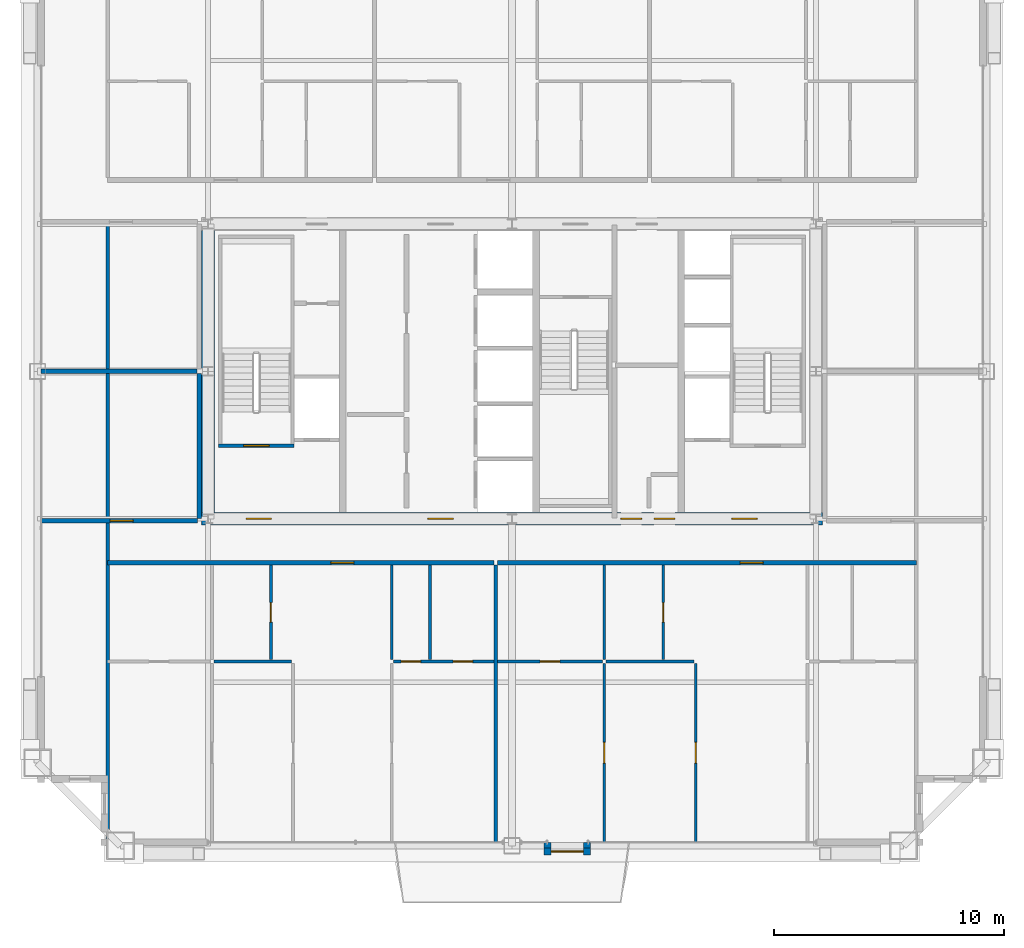
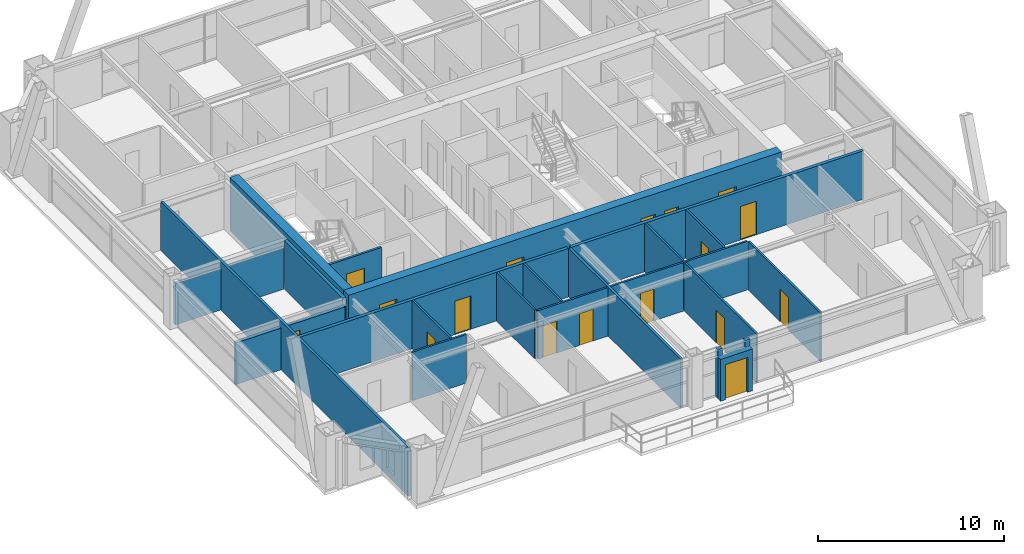
# One storey, part 31 of 36: 24 walls, 17 doors, 17 openings.
"""IFC4 building model written with IfcOpenShell, lengths in metres."""

from ifc_helpers import new_model, si_unit, direction, frame, frame_2d, origin, place, context, subcontext, project, spatial, rectangle, extrude, source, transform, mapped, material, layer, layer_set, type_object, element, fill, save


model = new_model("IFC4")

# Units and contexts
model_context = context("Model", 3, precision=1e-05, world=origin(), true_north=direction((0.0, 1.0)))
body_context = subcontext(model_context, "Body", "Model", "MODEL_VIEW")
ifc_project = project(units=[si_unit("LENGTHUNIT", "METRE"), si_unit("AREAUNIT", "SQUARE_METRE"), si_unit("VOLUMEUNIT", "CUBIC_METRE"), si_unit("PLANEANGLEUNIT", "RADIAN"), si_unit("MASSUNIT", "GRAM", prefix="KILO"), si_unit("THERMODYNAMICTEMPERATUREUNIT", "KELVIN"), si_unit("POWERUNIT", "WATT")], contexts=[model_context])

# Site, building, storey
site_placement = place(None, origin())
site = spatial("IfcSite", under=ifc_project, at=site_placement, CompositionType="ELEMENT")
building_placement = place(site_placement, origin())
building = spatial("IfcBuilding", under=site, at=building_placement, Name="Yuzanri Waterfront Tower", CompositionType="ELEMENT")
storey_placement = place(building_placement, frame((0.0, 0.0, 255.60009765625)))
storey = spatial("IfcBuildingStorey", under=building, at=storey_placement, Name="L68", CompositionType="ELEMENT", Elevation=255.60009765625)

# Wall, opening, door
ifc_material_1 = material(Name="Moisture-Resistant Gypsum Stud Wall", Category="gypsum")
ifc_layer_1 = layer(ifc_material_1, 0.1201171875)
ifc_layer_set_1 = layer_set([ifc_layer_1], Name="Moisture-Resistant Gypsum Stud Wall")
wall_type_1 = type_object("IfcWallType", Name="Bathroom and Kitchen Wet Partition 120", PredefinedType="PARTITIONING", material=ifc_layer_set_1)
wall_1_placement = place(storey_placement, frame((26.530029296875, 13.280029296875, 0.0), z_axis=(0.0, 0.0, 1.0), x_axis=(0.0, 1.0, 0.0)))
wall_1 = element("IfcWall", 1, at=wall_1_placement, inside=storey, type_object=wall_type_1, Name="L68 Partition UW-L68-RS1-SUB-2-E", PredefinedType="PARTITIONING", context=body_context, shape_type="SweptSolid", body=[
    extrude(rectangle(XDim=4.10986328125, YDim=0.1201171875, at=frame_2d((2.054931640625, 0.0))), origin(), (0.0, 0.0, 1.0), 3.199951171875),
])
opening_1_placement = place(wall_1_placement, frame((1.6298828125, 0.0, 0.0)))
opening_1 = element("IfcOpeningElement", 2, at=opening_1_placement, cuts=wall_1, Name="Opening ID-0850", PredefinedType="OPENING", context=body_context, shape_type="SweptSolid", body=[
    extrude(rectangle(XDim=0.85009765625, YDim=2.10009765625, at=frame_2d((0.425048828125, 1.050048828125))), frame((0.0, 0.074951171875, 0.0), z_axis=(0.0, -1.0, 0.0), x_axis=(1.0, 0.0, 0.0)), (0.0, 0.0, 1.0), 0.14990234375),
])
ifc_material_2 = material(Name="Moisture-Resistant Lacquered Timber", Category="wood")
door_type_1 = type_object("IfcDoorType", Name="En-Suite Bathroom and Kitchen Swing Door 850x2100", OperationType="NOTDEFINED", PredefinedType="DOOR", material=ifc_material_2)
shared_shape_1 = source(origin(), body_context, "Body", "SweptSolid", [
    extrude(rectangle(XDim=0.85009765625, YDim=2.10009765625, at=frame_2d((0.425048828125, 1.050048828125))), frame((0.0, 0.02490234375, 0.0), z_axis=(0.0, -1.0, 0.0), x_axis=(1.0, 0.0, 0.0)), (0.0, 0.0, 1.0), 0.050048828125),
])
door_1_placement = place(opening_1_placement, origin())
door_1 = element("IfcDoor", 3, at=door_1_placement, inside=storey, type_object=door_type_1, Name="L68 Suite Interior Room Door", OperationType="SINGLE_SWING_RIGHT", OverallHeight=2.10009765625, OverallWidth=0.85009765625, PredefinedType="DOOR", context=body_context, shape_type="MappedRepresentation", body=[
    mapped(shared_shape_1, transform((0.0, 0.0, 0.0), scale=1.0)),
])
fill(opening_1, door_1)

# Wall, openings, doors
wall_2_placement = place(storey_placement, frame((31.85595703125, 13.199951171875, 0.0), z_axis=(0.0, 0.0, 1.0), x_axis=(1.0, 0.0, 0.0)))
wall_2 = element("IfcWall", 4, at=wall_2_placement, inside=storey, type_object=wall_type_1, Name="L68 Partition UW-L68-RS1-SUB-6-N", PredefinedType="PARTITIONING", context=body_context, shape_type="SweptSolid", body=[
    extrude(rectangle(XDim=4.362060546875, YDim=0.1201171875, at=frame_2d((2.18115234375, 0.0))), origin(), (0.0, 0.0, 1.0), 3.199951171875),
])
opening_2_placement = place(wall_2_placement, frame((2.5869140625, 0.0, 0.0)))
opening_2 = element("IfcOpeningElement", 5, at=opening_2_placement, cuts=wall_2, Name="Opening ID-0850", PredefinedType="OPENING", context=body_context, shape_type="SweptSolid", body=[
    extrude(rectangle(XDim=0.85009765625, YDim=2.10009765625, at=frame_2d((0.425048828125, 1.050048828125))), frame((0.0, 0.074951171875, 0.0), z_axis=(0.0, -1.0, 0.0), x_axis=(1.0, 0.0, 0.0)), (0.0, 0.0, 1.0), 0.14990234375),
])
opening_3_placement = place(wall_2_placement, frame((0.325927734375, 0.0, 0.0)))
opening_3 = element("IfcOpeningElement", 6, at=opening_3_placement, cuts=wall_2, Name="Opening ID-0850", PredefinedType="OPENING", context=body_context, shape_type="SweptSolid", body=[
    extrude(rectangle(XDim=0.85009765625, YDim=2.10009765625, at=frame_2d((0.425048828125, 1.050048828125))), frame((0.0, 0.074951171875, 0.0), z_axis=(0.0, -1.0, 0.0), x_axis=(1.0, 0.0, 0.0)), (0.0, 0.0, 1.0), 0.14990234375),
])
door_2_placement = place(opening_2_placement, origin())
door_2 = element("IfcDoor", 7, at=door_2_placement, inside=storey, type_object=door_type_1, Name="L68 Suite Interior Room Door", OperationType="SINGLE_SWING_LEFT", OverallHeight=2.10009765625, OverallWidth=0.85009765625, PredefinedType="DOOR", context=body_context, shape_type="MappedRepresentation", body=[
    mapped(shared_shape_1, transform((0.0, 0.0, 0.0), scale=1.0)),
])
fill(opening_2, door_2)
door_3_placement = place(opening_3_placement, origin())
door_3 = element("IfcDoor", 8, at=door_3_placement, inside=storey, type_object=door_type_1, Name="L68 Suite Interior Room Door", OperationType="SINGLE_SWING_RIGHT", OverallHeight=2.10009765625, OverallWidth=0.85009765625, PredefinedType="DOOR", context=body_context, shape_type="MappedRepresentation", body=[
    mapped(shared_shape_1, transform((0.0, 0.0, 0.0), scale=1.0)),
])
fill(opening_3, door_3)

# Wall, opening, door
wall_3_placement = place(storey_placement, frame((36.3779296875, 13.199951171875, 0.0), z_axis=(0.0, 0.0, 1.0), x_axis=(1.0, 0.0, 0.0)))
wall_3 = element("IfcWall", 9, at=wall_3_placement, inside=storey, type_object=wall_type_1, Name="L68 Partition UW-L68-RS2-SUB-1-S", PredefinedType="PARTITIONING", context=body_context, shape_type="SweptSolid", body=[
    extrude(rectangle(XDim=4.545166015625, YDim=0.1201171875, at=frame_2d((2.2724609375, 0.0))), origin(), (0.0, 0.0, 1.0), 3.199951171875),
])
opening_4_placement = place(wall_3_placement, frame((1.847412109375, 0.0, 0.0)))
opening_4 = element("IfcOpeningElement", 10, at=opening_4_placement, cuts=wall_3, Name="Opening ID-0850", PredefinedType="OPENING", context=body_context, shape_type="SweptSolid", body=[
    extrude(rectangle(XDim=0.85009765625, YDim=2.10009765625, at=frame_2d((0.425048828125, 1.050048828125))), frame((0.0, 0.074951171875, 0.0), z_axis=(0.0, -1.0, 0.0), x_axis=(1.0, 0.0, 0.0)), (0.0, 0.0, 1.0), 0.14990234375),
])
door_4_placement = place(opening_4_placement, origin())
door_4 = element("IfcDoor", 11, at=door_4_placement, inside=storey, type_object=door_type_1, Name="L68 Suite Interior Room Door", OperationType="SINGLE_SWING_LEFT", OverallHeight=2.10009765625, OverallWidth=0.85009765625, PredefinedType="DOOR", context=body_context, shape_type="MappedRepresentation", body=[
    mapped(shared_shape_1, transform((0.0, 0.0, 0.0), scale=1.0)),
])
fill(opening_4, door_4)

wall_4_placement = place(storey_placement, frame((43.56298828125, 13.280029296875, 0.0), z_axis=(0.0, 0.0, 1.0), x_axis=(0.0, 1.0, 0.0)))
wall_4 = element("IfcWall", 12, at=wall_4_placement, inside=storey, type_object=wall_type_1, Name="L68 Partition UW-L68-RS2-SUB-2-E", PredefinedType="PARTITIONING", context=body_context, shape_type="SweptSolid", body=[
    extrude(rectangle(XDim=4.10986328125, YDim=0.1201171875, at=frame_2d((2.054931640625, 0.0))), origin(), (0.0, 0.0, 1.0), 3.199951171875),
])
opening_5_placement = place(wall_4_placement, frame((1.6298828125, 0.0, 0.0)))
opening_5 = element("IfcOpeningElement", 13, at=opening_5_placement, cuts=wall_4, Name="Opening ID-0850", PredefinedType="OPENING", context=body_context, shape_type="SweptSolid", body=[
    extrude(rectangle(XDim=0.85009765625, YDim=2.10009765625, at=frame_2d((0.425048828125, 1.050048828125))), frame((0.0, 0.074951171875, 0.0), z_axis=(0.0, -1.0, 0.0), x_axis=(1.0, 0.0, 0.0)), (0.0, 0.0, 1.0), 0.14990234375),
])
door_5_placement = place(opening_5_placement, origin())
door_5 = element("IfcDoor", 14, at=door_5_placement, inside=storey, type_object=door_type_1, Name="L68 Suite Interior Room Door", OperationType="SINGLE_SWING_RIGHT", OverallHeight=2.10009765625, OverallWidth=0.85009765625, PredefinedType="DOOR", context=body_context, shape_type="MappedRepresentation", body=[
    mapped(shared_shape_1, transform((0.0, 0.0, 0.0), scale=1.0)),
])
fill(opening_5, door_5)

wall_5_placement = place(storey_placement, frame((41.0029296875, 5.35009765625, 0.0), z_axis=(0.0, 0.0, 1.0), x_axis=(0.0, 1.0, 0.0)))
wall_5 = element("IfcWall", 15, at=wall_5_placement, inside=storey, type_object=wall_type_1, Name="L68 Partition UW-L68-RS2-SUB-5-E", PredefinedType="PARTITIONING", context=body_context, shape_type="SweptSolid", body=[
    extrude(rectangle(XDim=7.77001953125, YDim=0.1201171875, at=frame_2d((3.885009765625, 0.0))), origin(), (0.0, 0.0, 1.0), 3.199951171875),
])
opening_6_placement = place(wall_5_placement, frame((3.43505859375, 0.0, 0.0)))
opening_6 = element("IfcOpeningElement", 16, at=opening_6_placement, cuts=wall_5, Name="Opening ID-0900", PredefinedType="OPENING", context=body_context, shape_type="SweptSolid", body=[
    extrude(rectangle(XDim=0.89990234375, YDim=2.14990234375, at=frame_2d((0.449951171875, 1.074951171875))), frame((0.0, 0.074951171875, 0.0), z_axis=(0.0, -1.0, 0.0), x_axis=(1.0, 0.0, 0.0)), (0.0, 0.0, 1.0), 0.14990234375),
])
ifc_material_3 = material(Name="Stained Walnut Veneer Timber", Category="wood")
door_type_2 = type_object("IfcDoorType", Name="Bedroom and Study Interior Swing Door 900x2150", OperationType="NOTDEFINED", PredefinedType="DOOR", material=ifc_material_3)
shared_shape_2 = source(origin(), body_context, "Body", "SweptSolid", [
    extrude(rectangle(XDim=0.89990234375, YDim=2.14990234375, at=frame_2d((0.449951171875, 1.074951171875))), frame((0.0, 0.02490234375, 0.0), z_axis=(0.0, -1.0, 0.0), x_axis=(1.0, 0.0, 0.0)), (0.0, 0.0, 1.0), 0.050048828125),
])
door_6_placement = place(opening_6_placement, origin())
door_6 = element("IfcDoor", 17, at=door_6_placement, inside=storey, type_object=door_type_2, Name="L68 Suite Interior Room Door", OperationType="SINGLE_SWING_LEFT", OverallHeight=2.14990234375, OverallWidth=0.89990234375, PredefinedType="DOOR", context=body_context, shape_type="MappedRepresentation", body=[
    mapped(shared_shape_2, transform((0.0, 0.0, 0.0), scale=1.0)),
])
fill(opening_6, door_6)

wall_6_placement = place(storey_placement, frame((44.97802734375, 5.35009765625, 0.0), z_axis=(0.0, 0.0, 1.0), x_axis=(0.0, 1.0, 0.0)))
wall_6 = element("IfcWall", 18, at=wall_6_placement, inside=storey, type_object=wall_type_1, Name="L68 Partition UW-L68-RS2-SUB-7-E", PredefinedType="PARTITIONING", context=body_context, shape_type="SweptSolid", body=[
    extrude(rectangle(XDim=7.77001953125, YDim=0.1201171875, at=frame_2d((3.885009765625, 0.0))), origin(), (0.0, 0.0, 1.0), 3.199951171875),
])
opening_7_placement = place(wall_6_placement, frame((3.43505859375, 0.0, 0.0)))
opening_7 = element("IfcOpeningElement", 19, at=opening_7_placement, cuts=wall_6, Name="Opening ID-0900", PredefinedType="OPENING", context=body_context, shape_type="SweptSolid", body=[
    extrude(rectangle(XDim=0.89990234375, YDim=2.14990234375, at=frame_2d((0.449951171875, 1.074951171875))), frame((0.0, 0.074951171875, 0.0), z_axis=(0.0, -1.0, 0.0), x_axis=(1.0, 0.0, 0.0)), (0.0, 0.0, 1.0), 0.14990234375),
])
door_7_placement = place(opening_7_placement, origin())
door_7 = element("IfcDoor", 20, at=door_7_placement, inside=storey, type_object=door_type_2, Name="L68 Suite Interior Room Door", OperationType="SINGLE_SWING_LEFT", OverallHeight=2.14990234375, OverallWidth=0.89990234375, PredefinedType="DOOR", context=body_context, shape_type="MappedRepresentation", body=[
    mapped(shared_shape_2, transform((0.0, 0.0, 0.0), scale=1.0)),
])
fill(opening_7, door_7)

ifc_material_4 = material(Name="Honed Chongqing Dark Basalt Stone", Category="masonry")
ifc_layer_2 = layer(ifc_material_4, 0.300048828125)
ifc_layer_set_2 = layer_set([ifc_layer_2], Name="Honed Chongqing Dark Basalt Stone")
wall_type_2 = type_object("IfcWallType", Name="Bronze Rainscreen Insulated Spandrel Portal Wall 300", PredefinedType="SOLIDWALL", material=ifc_layer_set_2)
wall_7_placement = place(storey_placement, frame((38.39990234375, 4.949951171875, 0.0), z_axis=(0.0, 0.0, 1.0), x_axis=(1.0, 0.0, 0.0)))
wall_7 = element("IfcWall", 21, at=wall_7_placement, inside=storey, type_object=wall_type_2, Name="L68 S Terrace Door Portal Wall", PredefinedType="SOLIDWALL", context=body_context, shape_type="SweptSolid", body=[
    extrude(rectangle(XDim=2.0, YDim=0.300048828125, at=frame_2d((1.0, 0.0))), origin(), (0.0, 0.0, 1.0), 2.7548828125),
])
opening_8_placement = place(wall_7_placement, frame((0.300048828125, 0.0, 0.0)))
opening_8 = element("IfcOpeningElement", 22, at=opening_8_placement, cuts=wall_7, Name="Opening TD-1400", PredefinedType="OPENING", context=body_context, shape_type="SweptSolid", body=[
    extrude(rectangle(XDim=1.39990234375, YDim=2.300048828125, at=frame_2d((0.699951171875, 1.14990234375))), frame((0.0, 0.1650390625, 0.0), z_axis=(0.0, -1.0, 0.0), x_axis=(1.0, 0.0, 0.0)), (0.0, 0.0, 1.0), 0.329833984375),
])
ifc_material_5 = material(Name="Anodized Architectural Bronze", Category="metal")
door_type_3 = type_object("IfcDoorType", Name="Anodized Bronze Balcony and Terrace Glazed Double Door 1400x2300", OperationType="NOTDEFINED", PredefinedType="DOOR", material=ifc_material_5)
shared_shape_3 = source(origin(), body_context, "Body", "SweptSolid", [
    extrude(rectangle(XDim=1.39990234375, YDim=2.300048828125, at=frame_2d((0.699951171875, 1.14990234375))), frame((0.0, 0.02490234375, 0.0), z_axis=(0.0, -1.0, 0.0), x_axis=(1.0, 0.0, 0.0)), (0.0, 0.0, 1.0), 0.050048828125),
])
door_8_placement = place(opening_8_placement, origin())
door_8 = element("IfcDoor", 23, at=door_8_placement, inside=storey, type_object=door_type_3, Name="L68 S Terrace Glazed Double Door", OperationType="DOUBLE_DOOR_SINGLE_SWING", OverallHeight=2.300048828125, OverallWidth=1.39990234375, PredefinedType="DOOR", context=body_context, shape_type="MappedRepresentation", body=[
    mapped(shared_shape_3, transform((0.0, 0.0, 0.0), scale=1.0)),
])
fill(opening_8, door_8)

# Wall, openings, doors
ifc_material_6 = material(Name="Concrete C50", Category="concrete")
ifc_layer_3 = layer(ifc_material_6, 0.550048828125)
ifc_layer_set_3 = layer_set([ifc_layer_3], Name="Concrete C50")
wall_type_3 = type_object("IfcWallType", Name="Concrete C50 Upper-Mid Zone Core Shear Wall 550", PredefinedType="SHEAR", material=ifc_layer_set_3)
wall_8_placement = place(storey_placement, frame((23.52490234375, 19.39990234375, 0.0), z_axis=(0.0, 0.0, 1.0), x_axis=(1.0, 0.0, 0.0)))
wall_8 = element("IfcWall", 24, at=wall_8_placement, inside=storey, type_object=wall_type_3, Name="L68 Core South Shear Wall", PredefinedType="SHEAR", context=body_context, shape_type="SweptSolid", body=[
    extrude(rectangle(XDim=26.9501953125, YDim=0.550048828125, at=frame_2d((13.47509765625, 0.0))), origin(), (0.0, 0.0, 1.0), 3.5),
])
opening_9_placement = place(wall_8_placement, frame((1.925048828125, 0.0, 0.0)))
opening_9 = element("IfcOpeningElement", 25, at=opening_9_placement, cuts=wall_8, Name="Opening FD-1100", PredefinedType="OPENING", context=body_context, shape_type="SweptSolid", body=[
    extrude(rectangle(XDim=1.10009765625, YDim=2.199951171875, at=frame_2d((0.550048828125, 1.10009765625))), frame((0.0, 0.2900390625, 0.0), z_axis=(0.0, -1.0, 0.0), x_axis=(1.0, 0.0, 0.0)), (0.0, 0.0, 1.0), 0.579833984375),
])
opening_10_placement = place(wall_8_placement, frame((9.824951171875, 0.0, 0.0)))
opening_10 = element("IfcOpeningElement", 26, at=opening_10_placement, cuts=wall_8, Name="Opening FD-1100", PredefinedType="OPENING", context=body_context, shape_type="SweptSolid", body=[
    extrude(rectangle(XDim=1.10009765625, YDim=2.199951171875, at=frame_2d((0.550048828125, 1.10009765625))), frame((0.0, 0.2900390625, 0.0), z_axis=(0.0, -1.0, 0.0), x_axis=(1.0, 0.0, 0.0)), (0.0, 0.0, 1.0), 0.579833984375),
])
opening_11_placement = place(wall_8_placement, frame((23.02490234375, 0.0, 0.0)))
opening_11 = element("IfcOpeningElement", 27, at=opening_11_placement, cuts=wall_8, Name="Opening FD-1100", PredefinedType="OPENING", context=body_context, shape_type="SweptSolid", body=[
    extrude(rectangle(XDim=1.10009765625, YDim=2.199951171875, at=frame_2d((0.550048828125, 1.10009765625))), frame((0.0, 0.2900390625, 0.0), z_axis=(0.0, -1.0, 0.0), x_axis=(1.0, 0.0, 0.0)), (0.0, 0.0, 1.0), 0.579833984375),
])
opening_12_placement = place(wall_8_placement, frame((19.64501953125, 0.0, 0.0)))
opening_12 = element("IfcOpeningElement", 28, at=opening_12_placement, cuts=wall_8, Name="Opening FD-0900", PredefinedType="OPENING", context=body_context, shape_type="SweptSolid", body=[
    extrude(rectangle(XDim=0.89990234375, YDim=2.14990234375, at=frame_2d((0.449951171875, 1.074951171875))), frame((0.0, 0.2900390625, 0.0), z_axis=(0.0, -1.0, 0.0), x_axis=(1.0, 0.0, 0.0)), (0.0, 0.0, 1.0), 0.579833984375),
])
opening_13_placement = place(wall_8_placement, frame((18.205078125, 0.0, 0.0)))
opening_13 = element("IfcOpeningElement", 29, at=opening_13_placement, cuts=wall_8, Name="Opening FD-0900", PredefinedType="OPENING", context=body_context, shape_type="SweptSolid", body=[
    extrude(rectangle(XDim=0.89990234375, YDim=2.14990234375, at=frame_2d((0.449951171875, 1.074951171875))), frame((0.0, 0.2900390625, 0.0), z_axis=(0.0, -1.0, 0.0), x_axis=(1.0, 0.0, 0.0)), (0.0, 0.0, 1.0), 0.579833984375),
])
ifc_material_7 = material(Name="Painted Galvanized Fire Steel", Category="steel")
door_type_4 = type_object("IfcDoorType", Name="Smoke-Proof Stair and Lobby Fire Door 1100x2200", OperationType="NOTDEFINED", PredefinedType="DOOR", material=ifc_material_7)
shared_shape_4 = source(origin(), body_context, "Body", "SweptSolid", [
    extrude(rectangle(XDim=1.10009765625, YDim=2.199951171875, at=frame_2d((0.550048828125, 1.10009765625))), frame((0.0, 0.02490234375, 0.0), z_axis=(0.0, -1.0, 0.0), x_axis=(1.0, 0.0, 0.0)), (0.0, 0.0, 1.0), 0.050048828125),
])
door_9_placement = place(opening_9_placement, origin())
door_9 = element("IfcDoor", 30, at=door_9_placement, inside=storey, type_object=door_type_4, Name="L68 West Firefighting Lobby Door", OperationType="SINGLE_SWING_RIGHT", OverallHeight=2.199951171875, OverallWidth=1.10009765625, PredefinedType="DOOR", context=body_context, shape_type="MappedRepresentation", body=[
    mapped(shared_shape_4, transform((0.0, 0.0, 0.0), scale=1.0)),
])
fill(opening_9, door_9)
door_10_placement = place(opening_10_placement, origin())
door_10 = element("IfcDoor", 31, at=door_10_placement, inside=storey, type_object=door_type_4, Name="L68 Central Lift Lobby South Door", OperationType="SINGLE_SWING_LEFT", OverallHeight=2.199951171875, OverallWidth=1.10009765625, PredefinedType="DOOR", context=body_context, shape_type="MappedRepresentation", body=[
    mapped(shared_shape_4, transform((0.0, 0.0, 0.0), scale=1.0)),
])
fill(opening_10, door_10)
door_11_placement = place(opening_11_placement, origin())
door_11 = element("IfcDoor", 32, at=door_11_placement, inside=storey, type_object=door_type_4, Name="L68 East Firefighting Lobby Door", OperationType="SINGLE_SWING_RIGHT", OverallHeight=2.199951171875, OverallWidth=1.10009765625, PredefinedType="DOOR", context=body_context, shape_type="MappedRepresentation", body=[
    mapped(shared_shape_4, transform((0.0, 0.0, 0.0), scale=1.0)),
])
fill(opening_11, door_11)
ifc_material_8 = material(Name="Painted Galvanized Fire Steel", Category="steel")
door_type_5 = type_object("IfcDoorType", Name="Riser and Service Room Fire Door 900x2150", OperationType="NOTDEFINED", PredefinedType="DOOR", material=ifc_material_8)
shared_shape_5 = source(origin(), body_context, "Body", "SweptSolid", [
    extrude(rectangle(XDim=0.89990234375, YDim=2.14990234375, at=frame_2d((0.449951171875, 1.074951171875))), frame((0.0, 0.02490234375, 0.0), z_axis=(0.0, -1.0, 0.0), x_axis=(1.0, 0.0, 0.0)), (0.0, 0.0, 1.0), 0.050048828125),
])
door_12_placement = place(opening_12_placement, origin())
door_12 = element("IfcDoor", 33, at=door_12_placement, inside=storey, type_object=door_type_5, Name="L68 East Wet Riser Door", OperationType="SINGLE_SWING_LEFT", OverallHeight=2.14990234375, OverallWidth=0.89990234375, PredefinedType="DOOR", context=body_context, shape_type="MappedRepresentation", body=[
    mapped(shared_shape_5, transform((0.0, 0.0, 0.0), scale=1.0)),
])
fill(opening_12, door_12)
door_13_placement = place(opening_13_placement, origin())
door_13 = element("IfcDoor", 34, at=door_13_placement, inside=storey, type_object=door_type_5, Name="L68 Meter and Valve Store Room", OperationType="SINGLE_SWING_RIGHT", OverallHeight=2.14990234375, OverallWidth=0.89990234375, PredefinedType="DOOR", context=body_context, shape_type="MappedRepresentation", body=[
    mapped(shared_shape_5, transform((0.0, 0.0, 0.0), scale=1.0)),
])
fill(opening_13, door_13)

# Wall, opening, door
ifc_material_9 = material(Name="Concrete C40", Category="concrete")
ifc_layer_4 = layer(ifc_material_9, 0.139892578125)
ifc_layer_set_4 = layer_set([ifc_layer_4], Name="Concrete C40")
wall_type_4 = type_object("IfcWallType", Name="Core Stair Liner and Hoistway Shaft Wall 140", PredefinedType="SOLIDWALL", material=ifc_layer_set_4)
wall_9_placement = place(storey_placement, frame((24.260009765625, 22.570068359375, 0.0), z_axis=(0.0, 0.0, 1.0), x_axis=(1.0, 0.0, 0.0)))
wall_9 = element("IfcWall", 35, at=wall_9_placement, inside=storey, type_object=wall_type_4, Name="L68 Shaft Wall STW-L68-ST-01-S", PredefinedType="SOLIDWALL", context=body_context, shape_type="SweptSolid", body=[
    extrude(rectangle(XDim=3.280029296875, YDim=0.139892578125, at=frame_2d((1.64013671875, 0.0))), origin(), (0.0, 0.0, 1.0), 3.199951171875),
])
opening_14_placement = place(wall_9_placement, frame((1.090087890625, 0.0, 0.0)))
opening_14 = element("IfcOpeningElement", 36, at=opening_14_placement, cuts=wall_9, Name="Opening FD-1100", PredefinedType="OPENING", context=body_context, shape_type="SweptSolid", body=[
    extrude(rectangle(XDim=1.10009765625, YDim=2.199951171875, at=frame_2d((0.550048828125, 1.10009765625))), frame((0.0, 0.0849609375, 0.0), z_axis=(0.0, -1.0, 0.0), x_axis=(1.0, 0.0, 0.0)), (0.0, 0.0, 1.0), 0.169677734375),
])
door_14_placement = place(opening_14_placement, origin())
door_14 = element("IfcDoor", 37, at=door_14_placement, inside=storey, type_object=door_type_4, Name="L68 Stair ST-01 Fire Door", OperationType="SINGLE_SWING_LEFT", OverallHeight=2.199951171875, OverallWidth=1.10009765625, PredefinedType="DOOR", context=body_context, shape_type="MappedRepresentation", body=[
    mapped(shared_shape_4, transform((0.0, 0.0, 0.0), scale=1.0)),
])
fill(opening_14, door_14)

ifc_material_10 = material(Name="Autoclaved Aerated Concrete Blockwork", Category="masonry")
ifc_layer_5 = layer(ifc_material_10, 0.199951171875)
ifc_layer_set_5 = layer_set([ifc_layer_5], Name="Autoclaved Aerated Concrete Blockwork")
wall_type_5 = type_object("IfcWallType", Name="Corridor and Unit Party Fire Wall 200", PredefinedType="PARTITIONING", material=ifc_layer_set_5)
wall_10_placement = place(storey_placement, frame((19.43994140625, 17.489990234375, 0.0), z_axis=(0.0, 0.0, 1.0), x_axis=(1.0, 0.0, 0.0)))
wall_10 = element("IfcWall", 38, at=wall_10_placement, inside=storey, type_object=wall_type_5, Name="L68 Partition UW-L68-RS1-CN", PredefinedType="PARTITIONING", context=body_context, shape_type="SweptSolid", body=[
    extrude(rectangle(XDim=16.778076171875, YDim=0.199951171875, at=frame_2d((8.38916015625, 0.0))), origin(), (0.0, 0.0, 1.0), 3.199951171875),
])
opening_15_placement = place(wall_10_placement, frame((9.695068359375, 0.0, 0.0)))
opening_15 = element("IfcOpeningElement", 39, at=opening_15_placement, cuts=wall_10, Name="Opening FD-1000", PredefinedType="OPENING", context=body_context, shape_type="SweptSolid", body=[
    extrude(rectangle(XDim=1.0, YDim=2.199951171875, at=frame_2d((0.5, 1.10009765625))), frame((0.0, 0.11474609375, 0.0), z_axis=(0.0, -1.0, 0.0), x_axis=(1.0, 0.0, 0.0)), (0.0, 0.0, 1.0), 0.229736328125),
])
ifc_material_11 = material(Name="Engineered Oak Fire-Rated Timber", Category="wood")
door_type_6 = type_object("IfcDoorType", Name="Guestroom and Apartment Entrance Fire Door 1000x2200", OperationType="NOTDEFINED", PredefinedType="DOOR", material=ifc_material_11)
shared_shape_6 = source(origin(), body_context, "Body", "SweptSolid", [
    extrude(rectangle(XDim=1.0, YDim=2.199951171875, at=frame_2d((0.5, 1.10009765625))), frame((0.0, 0.02490234375, 0.0), z_axis=(0.0, -1.0, 0.0), x_axis=(1.0, 0.0, 0.0)), (0.0, 0.0, 1.0), 0.050048828125),
])
door_15_placement = place(opening_15_placement, origin())
door_15 = element("IfcDoor", 40, at=door_15_placement, inside=storey, type_object=door_type_6, Name="L68 Apartment Living and Dining Salon Entrance Door", OperationType="SINGLE_SWING_RIGHT", OverallHeight=2.199951171875, OverallWidth=1.0, PredefinedType="DOOR", context=body_context, shape_type="MappedRepresentation", body=[
    mapped(shared_shape_6, transform((0.0, 0.0, 0.0), scale=1.0)),
])
fill(opening_15, door_15)

wall_11_placement = place(storey_placement, frame((36.3779296875, 17.489990234375, 0.0), z_axis=(0.0, 0.0, 1.0), x_axis=(1.0, 0.0, 0.0)))
wall_11 = element("IfcWall", 41, at=wall_11_placement, inside=storey, type_object=wall_type_5, Name="L68 Partition UW-L68-RS2-CN", PredefinedType="PARTITIONING", context=body_context, shape_type="SweptSolid", body=[
    extrude(rectangle(XDim=18.18212890625, YDim=0.199951171875, at=frame_2d((9.091064453125, 0.0))), origin(), (0.0, 0.0, 1.0), 3.199951171875),
])
opening_16_placement = place(wall_11_placement, frame((10.528076171875, 0.0, 0.0)))
opening_16 = element("IfcOpeningElement", 42, at=opening_16_placement, cuts=wall_11, Name="Opening FD-1000", PredefinedType="OPENING", context=body_context, shape_type="SweptSolid", body=[
    extrude(rectangle(XDim=1.0, YDim=2.199951171875, at=frame_2d((0.5, 1.10009765625))), frame((0.0, 0.11474609375, 0.0), z_axis=(0.0, -1.0, 0.0), x_axis=(1.0, 0.0, 0.0)), (0.0, 0.0, 1.0), 0.229736328125),
])
door_16_placement = place(opening_16_placement, origin())
door_16 = element("IfcDoor", 43, at=door_16_placement, inside=storey, type_object=door_type_6, Name="L68 Apartment Living and Dining Salon Entrance Door", OperationType="SINGLE_SWING_RIGHT", OverallHeight=2.199951171875, OverallWidth=1.0, PredefinedType="DOOR", context=body_context, shape_type="MappedRepresentation", body=[
    mapped(shared_shape_6, transform((0.0, 0.0, 0.0), scale=1.0)),
])
fill(opening_16, door_16)

wall_12_placement = place(storey_placement, frame((16.550048828125, 19.31005859375, 0.0), z_axis=(0.0, 0.0, 1.0), x_axis=(1.0, 0.0, 0.0)))
wall_12 = element("IfcWall", 44, at=wall_12_placement, inside=storey, type_object=wall_type_5, Name="L68 Partition UW-L68-048-CS", PredefinedType="PARTITIONING", context=body_context, shape_type="SweptSolid", body=[
    extrude(rectangle(XDim=6.800048828125, YDim=0.199951171875, at=frame_2d((3.39990234375, 0.0))), origin(), (0.0, 0.0, 1.0), 2.744873046875),
])
opening_17_placement = place(wall_12_placement, frame((3.0, 0.0, 0.0)))
opening_17 = element("IfcOpeningElement", 45, at=opening_17_placement, cuts=wall_12, Name="Opening FD-1000", PredefinedType="OPENING", context=body_context, shape_type="SweptSolid", body=[
    extrude(rectangle(XDim=1.0, YDim=2.199951171875, at=frame_2d((0.5, 1.10009765625))), frame((0.0, 0.11474609375, 0.0), z_axis=(0.0, -1.0, 0.0), x_axis=(1.0, 0.0, 0.0)), (0.0, 0.0, 1.0), 0.229736328125),
])
door_17_placement = place(opening_17_placement, origin())
door_17 = element("IfcDoor", 46, at=door_17_placement, inside=storey, type_object=door_type_6, Name="L68 Residents W Fitness Gymnasium Entrance Door", OperationType="SINGLE_SWING_LEFT", OverallHeight=2.199951171875, OverallWidth=1.0, PredefinedType="DOOR", context=body_context, shape_type="MappedRepresentation", body=[
    mapped(shared_shape_6, transform((0.0, 0.0, 0.0), scale=1.0)),
])
fill(opening_17, door_17)

# Walls
shared_shape_7 = source(origin(), body_context, "Body", "SweptSolid", [
    extrude(rectangle(XDim=12.25, YDim=0.550048828125, at=frame_2d((6.125, 0.0))), origin(), (0.0, 0.0, 1.0), 3.5),
])
wall_13_placement = place(storey_placement, frame((23.800048828125, 19.675048828125, 0.0), z_axis=(0.0, 0.0, 1.0), x_axis=(0.0, 1.0, 0.0)))
element("IfcWall", 47, at=wall_13_placement, inside=storey, type_object=wall_type_3, Name="L68 Core West Shear Wall", PredefinedType="SHEAR", context=body_context, shape_type="MappedRepresentation", body=[
    mapped(shared_shape_7, transform((0.0, 0.0, 0.0), scale=1.0)),
])
shared_shape_8 = source(origin(), body_context, "Body", "SweptSolid", [
    extrude(rectangle(XDim=0.25, YDim=0.300048828125, at=frame_2d((0.125, 0.0))), origin(), (0.0, 0.0, 1.0), 3.199951171875),
])
for number, where, z_axis, x_axis, name in (
    (48, (38.550048828125, 5.35009765625, 0.0), (0.0, 0.0, 1.0), (0.0, -1.0, 0.0), "L68 S Terrace Portal Left Return"),
    (49, (40.25, 5.10009765625, 0.0), (0.0, 0.0, 1.0), (0.0, 1.0, 0.0), "L68 S Terrace Portal Right Return"),
):
    element("IfcWall", number, at=place(storey_placement, frame(where, z_axis=z_axis, x_axis=x_axis)), inside=storey, type_object=wall_type_2, Name=name, PredefinedType="SOLIDWALL", context=body_context, shape_type="MappedRepresentation", body=[
        mapped(shared_shape_8, transform((0.0, 0.0, 0.0), scale=1.0)),
    ])
ifc_material_12 = material(Name="Gypsum Fireboard Acoustic Stud Wall", Category="gypsum")
ifc_layer_6 = layer(ifc_material_12, 0.159912109375)
ifc_layer_set_6 = layer_set([ifc_layer_6], Name="Gypsum Fireboard Acoustic Stud Wall")
wall_type_6 = type_object("IfcWallType", Name="Acoustic Suite Demising Partition 160", PredefinedType="PARTITIONING", material=ifc_layer_set_6)
shared_shape_9 = source(origin(), body_context, "Body", "SweptSolid", [
    extrude(rectangle(XDim=12.039794921875, YDim=0.159912109375, at=frame_2d((6.02001953125, 0.0))), origin(), (0.0, 0.0, 1.0), 3.199951171875),
])
wall_14_placement = place(storey_placement, frame((36.298095703125, 5.35009765625, 0.0), z_axis=(0.0, 0.0, 1.0), x_axis=(0.0, 1.0, 0.0)))
element("IfcWall", 50, at=wall_14_placement, inside=storey, type_object=wall_type_6, Name="L68-RS1 Party Wall", PredefinedType="PARTITIONING", context=body_context, shape_type="MappedRepresentation", body=[
    mapped(shared_shape_9, transform((0.0, 0.0, 0.0), scale=1.0)),
])
shared_shape_10 = source(origin(), body_context, "Body", "SweptSolid", [
    extrude(rectangle(XDim=4.10986328125, YDim=0.1201171875, at=frame_2d((2.054931640625, 0.0))), origin(), (0.0, 0.0, 1.0), 3.199951171875),
])
for number, where, z_axis, x_axis, name in (
    (51, (33.43798828125, 13.280029296875, 0.0), (0.0, 0.0, 1.0), (0.0, 1.0, 0.0), "L68 Partition UW-L68-RS1-SUB-3-W"),
    (52, (31.77587890625, 13.280029296875, 0.0), (0.0, 0.0, 1.0), (0.0, 1.0, 0.0), "L68 Partition UW-L68-RS1-SUB-4-W"),
    (53, (41.0029296875, 13.280029296875, 0.0), (0.0, 0.0, 1.0), (0.0, 1.0, 0.0), "L68 Partition UW-L68-RS2-SUB-1-E"),
):
    element("IfcWall", number, at=place(storey_placement, frame(where, z_axis=z_axis, x_axis=x_axis)), inside=storey, type_object=wall_type_1, Name=name, PredefinedType="PARTITIONING", context=body_context, shape_type="MappedRepresentation", body=[
        mapped(shared_shape_10, transform((0.0, 0.0, 0.0), scale=1.0)),
    ])
shared_shape_11 = source(origin(), body_context, "Body", "SweptSolid", [
    extrude(rectangle(XDim=3.364013671875, YDim=0.1201171875, at=frame_2d((1.68212890625, 0.0))), origin(), (0.0, 0.0, 1.0), 3.199951171875),
])
wall_15_placement = place(storey_placement, frame((24.050048828125, 13.199951171875, 0.0), z_axis=(0.0, 0.0, 1.0), x_axis=(1.0, 0.0, 0.0)))
element("IfcWall", 54, at=wall_15_placement, inside=storey, type_object=wall_type_1, Name="L68 Partition UW-L68-RS1-SUB-7-N", PredefinedType="PARTITIONING", context=body_context, shape_type="MappedRepresentation", body=[
    mapped(shared_shape_11, transform((0.0, 0.0, 0.0), scale=1.0)),
])
shared_shape_12 = source(origin(), body_context, "Body", "SweptSolid", [
    extrude(rectangle(XDim=3.81494140625, YDim=0.1201171875, at=frame_2d((1.907470703125, 0.0))), origin(), (0.0, 0.0, 1.0), 3.199951171875),
])
wall_16_placement = place(storey_placement, frame((41.0830078125, 13.199951171875, 0.0), z_axis=(0.0, 0.0, 1.0), x_axis=(1.0, 0.0, 0.0)))
element("IfcWall", 55, at=wall_16_placement, inside=storey, type_object=wall_type_1, Name="L68 Partition UW-L68-RS2-SUB-7-N", PredefinedType="PARTITIONING", context=body_context, shape_type="MappedRepresentation", body=[
    mapped(shared_shape_12, transform((0.0, 0.0, 0.0), scale=1.0)),
])
shared_shape_13 = source(origin(), body_context, "Body", "SweptSolid", [
    extrude(rectangle(XDim=6.764892578125, YDim=0.199951171875, at=frame_2d((3.38232421875, 0.0))), origin(), (0.0, 0.0, 1.0), 2.706787109375),
])
wall_17_placement = place(storey_placement, frame((16.550048828125, 25.800048828125, 0.0), z_axis=(0.0, 0.0, 1.0), x_axis=(1.0, 0.0, 0.0)))
element("IfcWall", 56, at=wall_17_placement, inside=storey, type_object=wall_type_5, Name="L68-048 Wing North Wall", PredefinedType="PARTITIONING", context=body_context, shape_type="MappedRepresentation", body=[
    mapped(shared_shape_13, transform((0.0, 0.0, 0.0), scale=1.0)),
])
shared_shape_14 = source(origin(), body_context, "Body", "SweptSolid", [
    extrude(rectangle(XDim=6.2900390625, YDim=0.199951171875, at=frame_2d((3.14501953125, 0.0))), origin(), (0.0, 0.0, 1.0), 3.199951171875),
])
wall_18_placement = place(storey_placement, frame((23.419921875, 19.409912109375, 0.0), z_axis=(0.0, 0.0, 1.0), x_axis=(0.0, 1.0, 0.0)))
element("IfcWall", 57, at=wall_18_placement, inside=storey, type_object=wall_type_5, Name="L68-048 Wing Inner Core-Side Wall", PredefinedType="PARTITIONING", context=body_context, shape_type="MappedRepresentation", body=[
    mapped(shared_shape_14, transform((0.0, 0.0, 0.0), scale=1.0)),
])
shared_shape_15 = source(origin(), body_context, "Body", "SweptSolid", [
    extrude(rectangle(XDim=26.68994140625, YDim=0.159912109375, at=frame_2d((13.344970703125, 0.0))), origin(), (0.0, 0.0, 1.0), 3.199951171875),
])
wall_19_placement = place(storey_placement, frame((19.449951171875, 5.5, 0.0), z_axis=(0.0, 0.0, 1.0), x_axis=(0.0, 1.0, 0.0)))
element("IfcWall", 58, at=wall_19_placement, inside=storey, type_object=wall_type_6, Name="L68 South Band West End Wall", PredefinedType="PARTITIONING", context=body_context, shape_type="MappedRepresentation", body=[
    mapped(shared_shape_15, transform((0.0, 0.0, 0.0), scale=1.0)),
])

save(model, "model.ifc")
